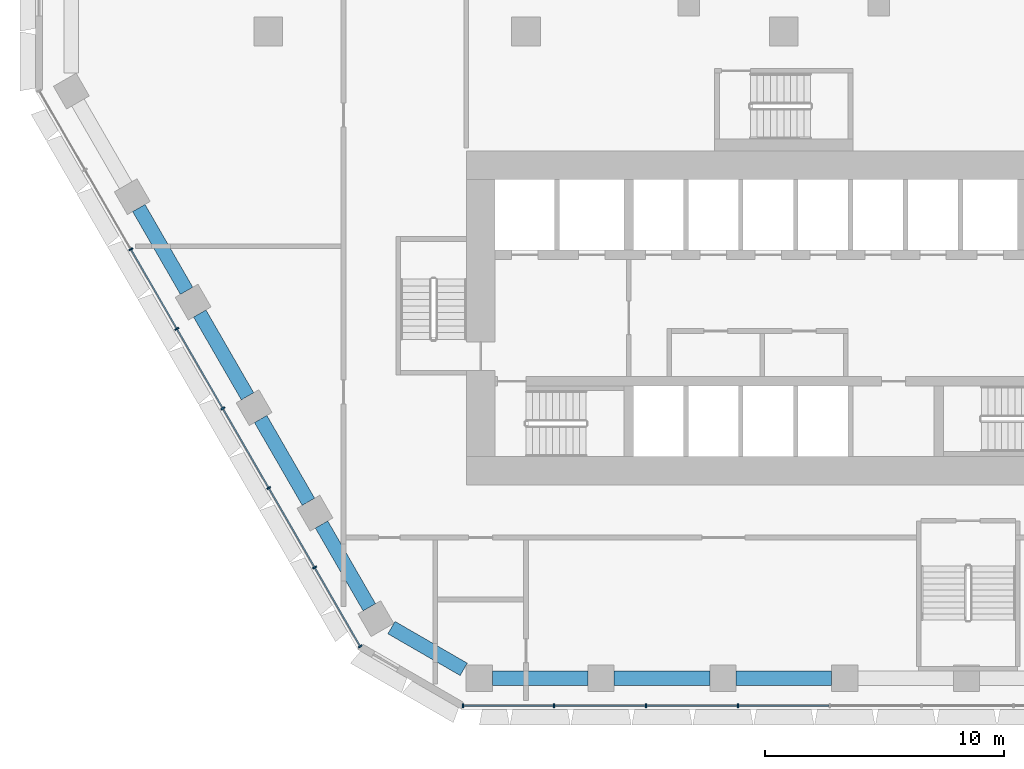
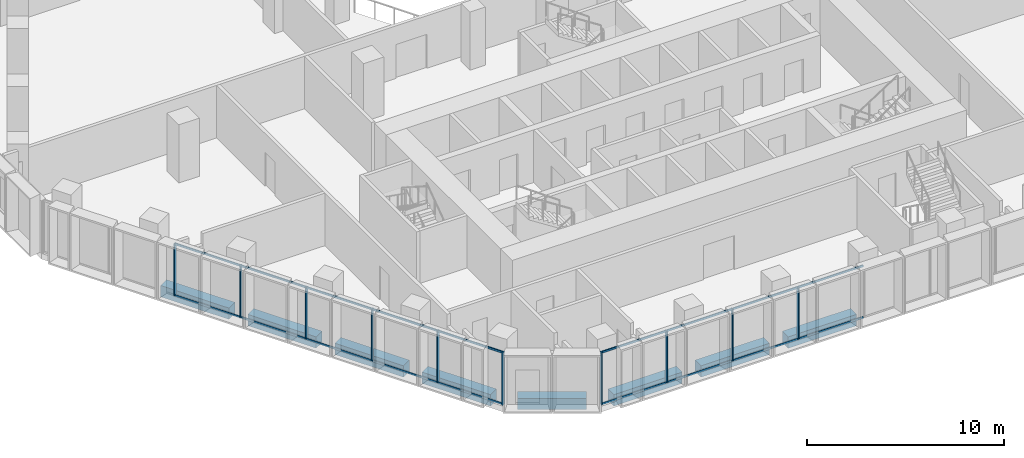
# One storey, part 2 of 22: 28 members, 8 beams, 2 elements without a shape of their own.
"""IFC4 building model written with IfcOpenShell, lengths in metres."""

from ifc_helpers import new_model, si_unit, direction, frame, origin, origin_2d, place, context, subcontext, project, spatial, rectangle, hollow_rectangle, extrude, material, material_profile, profile_set, type_object, element, aggregate, save


model = new_model("IFC4")

# Units and contexts
model_context = context("Model", 3, precision=1e-05, world=origin(), true_north=direction((0.0, 1.0)))
body_context = subcontext(model_context, "Body", "Model", "MODEL_VIEW")
ifc_project = project(units=[si_unit("LENGTHUNIT", "METRE"), si_unit("AREAUNIT", "SQUARE_METRE"), si_unit("VOLUMEUNIT", "CUBIC_METRE"), si_unit("PLANEANGLEUNIT", "RADIAN"), si_unit("MASSUNIT", "GRAM", prefix="KILO")], contexts=[model_context])

# Site, building, storey
site_placement = place(None, origin())
site = spatial("IfcSite", under=ifc_project, at=site_placement, CompositionType="ELEMENT")
building_placement = place(site_placement, origin())
building = spatial("IfcBuilding", under=site, at=building_placement, Name="Beryl Residences", CompositionType="ELEMENT")
storey_placement = place(building_placement, frame((0.0, 0.0, 12.60009765625)))
storey = spatial("IfcBuildingStorey", under=building, at=storey_placement, Name="L03", CompositionType="ELEMENT", Elevation=12.60009765625)

# Curtain wall, members
ifc_material_1 = material(Name="Aluminium and clear glass", Category="aluminium")
curtain_wall_type = type_object("IfcCurtainWallType", Name="CW2 amenity glazing glazed wall", PredefinedType="NOTDEFINED", material=ifc_material_1)
curtain_wall_1_placement = place(storey_placement, origin())
curtain_wall_1 = element("IfcCurtainWall", 1, at=curtain_wall_1_placement, inside=storey, type_object=curtain_wall_type, Name="CW2 L03 SW", PredefinedType="NOTDEFINED")
ifc_material_2 = material(Name="Aluminium", Category="aluminium")
ifc_material_profile_1 = material_profile(ifc_material_2, rectangle(XDim=0.06005859375, YDim=0.179931640625, at=origin_2d()))
ifc_profile_set_1 = profile_set([ifc_material_profile_1], Name="Aluminium")
member_type_1 = type_object("IfcMemberType", Name="CW2-M mullion 60 x 180 mm", PredefinedType="MULLION", material=ifc_profile_set_1)
member_1_placement = place(storey_placement, frame((-27.351318359375, -9.125732421875, 0.0), z_axis=(0.0, 0.0, 1.0), x_axis=(0.500011643322, -0.866018681405, 0.0)))
member_1 = element("IfcMember", 2, at=member_1_placement, type_object=member_type_1, Name="CW2 mullion 3", PredefinedType="MULLION", context=body_context, shape_type="SweptSolid", body=[
    extrude(rectangle(XDim=0.06005859375, YDim=0.179931640625, at=origin_2d()), origin(), (0.0, 0.0, 1.0), 3.25),
])
member_2_placement = place(storey_placement, frame((-25.42724609375, -12.45849609375, 0.0), z_axis=(0.0, 0.0, 1.0), x_axis=(0.500011643322, -0.866018681405, 0.0)))
member_2 = element("IfcMember", 3, at=member_2_placement, type_object=member_type_1, Name="CW2 mullion 4", PredefinedType="MULLION", context=body_context, shape_type="SweptSolid", body=[
    extrude(rectangle(XDim=0.06005859375, YDim=0.179931640625, at=origin_2d()), origin(), (0.0, 0.0, 1.0), 3.25),
])
member_3_placement = place(storey_placement, frame((-23.5029296875, -15.79150390625, 0.0), z_axis=(0.0, 0.0, 1.0), x_axis=(0.500011643322, -0.866018681405, 0.0)))
member_3 = element("IfcMember", 4, at=member_3_placement, type_object=member_type_1, Name="CW2 mullion 5", PredefinedType="MULLION", context=body_context, shape_type="SweptSolid", body=[
    extrude(rectangle(XDim=0.06005859375, YDim=0.179931640625, at=origin_2d()), origin(), (0.0, 0.0, 1.0), 3.25),
])
member_4_placement = place(storey_placement, frame((-21.57861328125, -19.124267578125, 0.0), z_axis=(0.0, 0.0, 1.0), x_axis=(0.500011643322, -0.866018681405, 0.0)))
member_4 = element("IfcMember", 5, at=member_4_placement, type_object=member_type_1, Name="CW2 mullion 6", PredefinedType="MULLION", context=body_context, shape_type="SweptSolid", body=[
    extrude(rectangle(XDim=0.06005859375, YDim=0.179931640625, at=origin_2d()), origin(), (0.0, 0.0, 1.0), 3.25),
])
member_5_placement = place(storey_placement, frame((-19.654296875, -22.45703125, 0.0), z_axis=(0.0, 0.0, 1.0), x_axis=(0.500011643322, -0.866018681405, 0.0)))
member_5 = element("IfcMember", 6, at=member_5_placement, type_object=member_type_1, Name="CW2 mullion 7", PredefinedType="MULLION", context=body_context, shape_type="SweptSolid", body=[
    extrude(rectangle(XDim=0.06005859375, YDim=0.179931640625, at=origin_2d()), origin(), (0.0, 0.0, 1.0), 3.25),
])
member_6_placement = place(storey_placement, frame((-17.7451171875, -25.763916015625, 0.0), z_axis=(0.0, 0.0, 1.0), x_axis=(0.500011643322, -0.866018681405, 0.0)))
member_6 = element("IfcMember", 7, at=member_6_placement, type_object=member_type_1, Name="CW2 mullion 8", PredefinedType="MULLION", context=body_context, shape_type="SweptSolid", body=[
    extrude(rectangle(XDim=0.06005859375, YDim=0.179931640625, at=origin_2d()), origin(), (0.0, 0.0, 1.0), 3.25),
])

curtain_wall_2_placement = place(storey_placement, origin())
curtain_wall_2 = element("IfcCurtainWall", 8, at=curtain_wall_2_placement, inside=storey, type_object=curtain_wall_type, Name="CW2 L03 S", PredefinedType="NOTDEFINED")
member_7_placement = place(storey_placement, frame((-13.43994140625, -28.25, 0.0), z_axis=(0.0, 0.0, 1.0), x_axis=(1.0, 0.0, 0.0)))
member_7 = element("IfcMember", 9, at=member_7_placement, type_object=member_type_1, Name="CW2 mullion 1", PredefinedType="MULLION", context=body_context, shape_type="SweptSolid", body=[
    extrude(rectangle(XDim=0.06005859375, YDim=0.179931640625, at=origin_2d()), origin(), (0.0, 0.0, 1.0), 3.25),
])
member_8_placement = place(storey_placement, frame((-9.621337890625, -28.25, 0.0), z_axis=(0.0, 0.0, 1.0), x_axis=(1.0, 0.0, 0.0)))
member_8 = element("IfcMember", 10, at=member_8_placement, type_object=member_type_1, Name="CW2 mullion 2", PredefinedType="MULLION", context=body_context, shape_type="SweptSolid", body=[
    extrude(rectangle(XDim=0.06005859375, YDim=0.179931640625, at=origin_2d()), origin(), (0.0, 0.0, 1.0), 3.25),
])
member_9_placement = place(storey_placement, frame((-5.77294921875, -28.25, 0.0), z_axis=(0.0, 0.0, 1.0), x_axis=(1.0, 0.0, 0.0)))
member_9 = element("IfcMember", 11, at=member_9_placement, type_object=member_type_1, Name="CW2 mullion 3", PredefinedType="MULLION", context=body_context, shape_type="SweptSolid", body=[
    extrude(rectangle(XDim=0.06005859375, YDim=0.179931640625, at=origin_2d()), origin(), (0.0, 0.0, 1.0), 3.25),
])
member_10_placement = place(storey_placement, frame((-1.92431640625, -28.25, 0.0), z_axis=(0.0, 0.0, 1.0), x_axis=(1.0, 0.0, 0.0)))
member_10 = element("IfcMember", 12, at=member_10_placement, type_object=member_type_1, Name="CW2 mullion 4", PredefinedType="MULLION", context=body_context, shape_type="SweptSolid", body=[
    extrude(rectangle(XDim=0.06005859375, YDim=0.179931640625, at=origin_2d()), origin(), (0.0, 0.0, 1.0), 3.25),
])

# Member
ifc_material_3 = material(Name="Aluminium", Category="aluminium")
ifc_material_profile_2 = material_profile(ifc_material_3, hollow_rectangle(XDim=0.06005859375, YDim=0.1201171875, WallThickness=0.00390625, at=origin_2d()))
ifc_profile_set_2 = profile_set([ifc_material_profile_2], Name="Aluminium")
member_type_2 = type_object("IfcMemberType", Name="CW2-T transom 60 x 120 mm", PredefinedType="USERDEFINED", material=ifc_profile_set_2)
member_11_placement = place(storey_placement, frame((-27.33642578125, -9.151611328125, 0.02978515625), z_axis=(0.499999503755, -0.866025690291, 0.0), x_axis=(0.866025690291, 0.499999503755, 0.0)))
member_11 = element("IfcMember", 13, at=member_11_placement, type_object=member_type_2, Name="CW2 transom 3.1", ObjectType="TRANSOM", PredefinedType="USERDEFINED", context=body_context, shape_type="SweptSolid", body=[
    extrude(hollow_rectangle(XDim=0.06005859375, YDim=0.1201171875, WallThickness=0.00390625, at=origin_2d()), origin(), (0.0, 0.0, 1.0), 3.78857421875),
])

member_12_placement = place(storey_placement, frame((-27.33642578125, -9.151611328125, 3.219970703125), z_axis=(0.499999503755, -0.866025690291, 0.0), x_axis=(0.866025690291, 0.499999503755, 0.0)))
member_12 = element("IfcMember", 14, at=member_12_placement, type_object=member_type_2, Name="CW2 transom 3.2", ObjectType="TRANSOM", PredefinedType="USERDEFINED", context=body_context, shape_type="SweptSolid", body=[
    extrude(hollow_rectangle(XDim=0.06005859375, YDim=0.1201171875, WallThickness=0.00390625, at=origin_2d()), origin(), (0.0, 0.0, 1.0), 3.78857421875),
])

member_13_placement = place(storey_placement, frame((-25.412109375, -12.484619140625, 0.02978515625), z_axis=(0.500027408906, -0.866009578667, 0.0), x_axis=(0.866009578667, 0.500027408906, 0.0)))
member_13 = element("IfcMember", 15, at=member_13_placement, type_object=member_type_2, Name="CW2 transom 4.1", ObjectType="TRANSOM", PredefinedType="USERDEFINED", context=body_context, shape_type="SweptSolid", body=[
    extrude(hollow_rectangle(XDim=0.06005859375, YDim=0.1201171875, WallThickness=0.00390625, at=origin_2d()), origin(), (0.0, 0.0, 1.0), 3.788330078125),
])

member_14_placement = place(storey_placement, frame((-25.412109375, -12.484619140625, 3.219970703125), z_axis=(0.500027408906, -0.866009578667, 0.0), x_axis=(0.866009578667, 0.500027408906, 0.0)))
member_14 = element("IfcMember", 16, at=member_14_placement, type_object=member_type_2, Name="CW2 transom 4.2", ObjectType="TRANSOM", PredefinedType="USERDEFINED", context=body_context, shape_type="SweptSolid", body=[
    extrude(hollow_rectangle(XDim=0.06005859375, YDim=0.1201171875, WallThickness=0.00390625, at=origin_2d()), origin(), (0.0, 0.0, 1.0), 3.788330078125),
])

member_15_placement = place(storey_placement, frame((-23.48779296875, -15.8173828125, 0.02978515625), z_axis=(0.499999503755, -0.866025690291, 0.0), x_axis=(0.866025690291, 0.499999503755, 0.0)))
member_15 = element("IfcMember", 17, at=member_15_placement, type_object=member_type_2, Name="CW2 transom 5.1", ObjectType="TRANSOM", PredefinedType="USERDEFINED", context=body_context, shape_type="SweptSolid", body=[
    extrude(hollow_rectangle(XDim=0.06005859375, YDim=0.1201171875, WallThickness=0.00390625, at=origin_2d()), origin(), (0.0, 0.0, 1.0), 3.78857421875),
])

member_16_placement = place(storey_placement, frame((-23.48779296875, -15.8173828125, 3.219970703125), z_axis=(0.499999503755, -0.866025690291, 0.0), x_axis=(0.866025690291, 0.499999503755, 0.0)))
member_16 = element("IfcMember", 18, at=member_16_placement, type_object=member_type_2, Name="CW2 transom 5.2", ObjectType="TRANSOM", PredefinedType="USERDEFINED", context=body_context, shape_type="SweptSolid", body=[
    extrude(hollow_rectangle(XDim=0.06005859375, YDim=0.1201171875, WallThickness=0.00390625, at=origin_2d()), origin(), (0.0, 0.0, 1.0), 3.78857421875),
])

member_17_placement = place(storey_placement, frame((-21.5634765625, -19.150146484375, 0.02978515625), z_axis=(0.499999503755, -0.866025690291, 0.0), x_axis=(0.866025690291, 0.499999503755, 0.0)))
member_17 = element("IfcMember", 19, at=member_17_placement, type_object=member_type_2, Name="CW2 transom 6.1", ObjectType="TRANSOM", PredefinedType="USERDEFINED", context=body_context, shape_type="SweptSolid", body=[
    extrude(hollow_rectangle(XDim=0.06005859375, YDim=0.1201171875, WallThickness=0.00390625, at=origin_2d()), origin(), (0.0, 0.0, 1.0), 3.78857421875),
])

member_18_placement = place(storey_placement, frame((-21.5634765625, -19.150146484375, 3.219970703125), z_axis=(0.499999503755, -0.866025690291, 0.0), x_axis=(0.866025690291, 0.499999503755, 0.0)))
member_18 = element("IfcMember", 20, at=member_18_placement, type_object=member_type_2, Name="CW2 transom 6.2", ObjectType="TRANSOM", PredefinedType="USERDEFINED", context=body_context, shape_type="SweptSolid", body=[
    extrude(hollow_rectangle(XDim=0.06005859375, YDim=0.1201171875, WallThickness=0.00390625, at=origin_2d()), origin(), (0.0, 0.0, 1.0), 3.78857421875),
])

member_19_placement = place(storey_placement, frame((-19.639404296875, -22.483154296875, 0.02978515625), z_axis=(0.500037327496, -0.866003851672, 0.0), x_axis=(0.866003851672, 0.500037327496, 0.0)))
member_19 = element("IfcMember", 21, at=member_19_placement, type_object=member_type_2, Name="CW2 transom 7.1", ObjectType="TRANSOM", PredefinedType="USERDEFINED", context=body_context, shape_type="SweptSolid", body=[
    extrude(hollow_rectangle(XDim=0.06005859375, YDim=0.1201171875, WallThickness=0.00390625, at=origin_2d()), origin(), (0.0, 0.0, 1.0), 3.758544921875),
])

member_20_placement = place(storey_placement, frame((-19.639404296875, -22.483154296875, 3.219970703125), z_axis=(0.500037327496, -0.866003851672, 0.0), x_axis=(0.866003851672, 0.500037327496, 0.0)))
member_20 = element("IfcMember", 22, at=member_20_placement, type_object=member_type_2, Name="CW2 transom 7.2", ObjectType="TRANSOM", PredefinedType="USERDEFINED", context=body_context, shape_type="SweptSolid", body=[
    extrude(hollow_rectangle(XDim=0.06005859375, YDim=0.1201171875, WallThickness=0.00390625, at=origin_2d()), origin(), (0.0, 0.0, 1.0), 3.758544921875),
])

aggregate(curtain_wall_1, [member_1, member_2, member_3, member_4, member_5, member_6, member_11, member_12, member_13, member_14, member_15, member_16, member_17, member_18, member_19, member_20])

member_21_placement = place(storey_placement, frame((-13.409912109375, -28.25, 0.02978515625), z_axis=(1.0, 0.0, 0.0), x_axis=(0.0, 1.0, 0.0)))
member_21 = element("IfcMember", 23, at=member_21_placement, type_object=member_type_2, Name="CW2 transom 1.1", ObjectType="TRANSOM", PredefinedType="USERDEFINED", context=body_context, shape_type="SweptSolid", body=[
    extrude(hollow_rectangle(XDim=0.06005859375, YDim=0.1201171875, WallThickness=0.00390625, at=origin_2d()), origin(), (0.0, 0.0, 1.0), 3.758544921875),
])

member_22_placement = place(storey_placement, frame((-13.409912109375, -28.25, 3.219970703125), z_axis=(1.0, 0.0, 0.0), x_axis=(0.0, 1.0, 0.0)))
member_22 = element("IfcMember", 24, at=member_22_placement, type_object=member_type_2, Name="CW2 transom 1.2", ObjectType="TRANSOM", PredefinedType="USERDEFINED", context=body_context, shape_type="SweptSolid", body=[
    extrude(hollow_rectangle(XDim=0.06005859375, YDim=0.1201171875, WallThickness=0.00390625, at=origin_2d()), origin(), (0.0, 0.0, 1.0), 3.758544921875),
])

member_23_placement = place(storey_placement, frame((-9.59130859375, -28.25, 0.02978515625), z_axis=(1.0, 0.0, 0.0), x_axis=(0.0, 1.0, 0.0)))
member_23 = element("IfcMember", 25, at=member_23_placement, type_object=member_type_2, Name="CW2 transom 2.1", ObjectType="TRANSOM", PredefinedType="USERDEFINED", context=body_context, shape_type="SweptSolid", body=[
    extrude(hollow_rectangle(XDim=0.06005859375, YDim=0.1201171875, WallThickness=0.00390625, at=origin_2d()), origin(), (0.0, 0.0, 1.0), 3.788330078125),
])

member_24_placement = place(storey_placement, frame((-9.59130859375, -28.25, 3.219970703125), z_axis=(1.0, 0.0, 0.0), x_axis=(0.0, 1.0, 0.0)))
member_24 = element("IfcMember", 26, at=member_24_placement, type_object=member_type_2, Name="CW2 transom 2.2", ObjectType="TRANSOM", PredefinedType="USERDEFINED", context=body_context, shape_type="SweptSolid", body=[
    extrude(hollow_rectangle(XDim=0.06005859375, YDim=0.1201171875, WallThickness=0.00390625, at=origin_2d()), origin(), (0.0, 0.0, 1.0), 3.788330078125),
])

member_25_placement = place(storey_placement, frame((-5.742919921875, -28.25, 0.02978515625), z_axis=(1.0, 0.0, 0.0), x_axis=(0.0, 1.0, 0.0)))
member_25 = element("IfcMember", 27, at=member_25_placement, type_object=member_type_2, Name="CW2 transom 3.1", ObjectType="TRANSOM", PredefinedType="USERDEFINED", context=body_context, shape_type="SweptSolid", body=[
    extrude(hollow_rectangle(XDim=0.06005859375, YDim=0.1201171875, WallThickness=0.00390625, at=origin_2d()), origin(), (0.0, 0.0, 1.0), 3.78857421875),
])

member_26_placement = place(storey_placement, frame((-5.742919921875, -28.25, 3.219970703125), z_axis=(1.0, 0.0, 0.0), x_axis=(0.0, 1.0, 0.0)))
member_26 = element("IfcMember", 28, at=member_26_placement, type_object=member_type_2, Name="CW2 transom 3.2", ObjectType="TRANSOM", PredefinedType="USERDEFINED", context=body_context, shape_type="SweptSolid", body=[
    extrude(hollow_rectangle(XDim=0.06005859375, YDim=0.1201171875, WallThickness=0.00390625, at=origin_2d()), origin(), (0.0, 0.0, 1.0), 3.78857421875),
])

member_27_placement = place(storey_placement, frame((-1.894287109375, -28.25, 0.02978515625), z_axis=(1.0, 0.0, 0.0), x_axis=(0.0, 1.0, 0.0)))
member_27 = element("IfcMember", 29, at=member_27_placement, type_object=member_type_2, Name="CW2 transom 4.1", ObjectType="TRANSOM", PredefinedType="USERDEFINED", context=body_context, shape_type="SweptSolid", body=[
    extrude(hollow_rectangle(XDim=0.06005859375, YDim=0.1201171875, WallThickness=0.00390625, at=origin_2d()), origin(), (0.0, 0.0, 1.0), 3.78857421875),
])

member_28_placement = place(storey_placement, frame((-1.894287109375, -28.25, 3.219970703125), z_axis=(1.0, 0.0, 0.0), x_axis=(0.0, 1.0, 0.0)))
member_28 = element("IfcMember", 30, at=member_28_placement, type_object=member_type_2, Name="CW2 transom 4.2", ObjectType="TRANSOM", PredefinedType="USERDEFINED", context=body_context, shape_type="SweptSolid", body=[
    extrude(hollow_rectangle(XDim=0.06005859375, YDim=0.1201171875, WallThickness=0.00390625, at=origin_2d()), origin(), (0.0, 0.0, 1.0), 3.78857421875),
])

aggregate(curtain_wall_2, [member_7, member_8, member_9, member_10, member_21, member_22, member_23, member_24, member_25, member_26, member_27, member_28])

# Beams
ifc_material_4 = material(Name="Concrete C80/95", Category="concrete")
ifc_material_profile_3 = material_profile(ifc_material_4, rectangle(XDim=0.60009765625, YDim=0.699951171875, at=origin_2d()))
ifc_profile_set_3 = profile_set([ifc_material_profile_3], Name="Concrete C80/95")
beam_type = type_object("IfcBeamType", Name="SB1 spandrel beam 600 x 700 C80/95", PredefinedType="SPANDREL", material=ifc_profile_set_3)
for number, where, z_axis, x_axis, name in (
    (31, (-27.02197265625, -7.39697265625, -0.7001953125), (0.499942357345, -0.866058681229, 0.0), (0.866058681229, 0.499942357345, 0.0), "SB1 L03 SW-1"),
    (32, (-24.469970703125, -11.81689453125, -0.7001953125), (0.499942357345, -0.866058681229, 0.0), (0.866058681229, 0.499942357345, 0.0), "SB1 L03 SW-2"),
    (33, (-21.91796875, -16.237060546875, -0.7001953125), (0.499942357345, -0.866058681229, 0.0), (0.866058681229, 0.499942357345, 0.0), "SB1 L03 SW-3"),
    (34, (-19.365966796875, -20.656982421875, -0.7001953125), (0.499942357345, -0.866058681229, 0.0), (0.866058681229, 0.499942357345, 0.0), "SB1 L03 SW-4"),
):
    element("IfcBeam", number, at=place(storey_placement, frame(where, z_axis=z_axis, x_axis=x_axis)), inside=storey, type_object=beam_type, Name=name, PredefinedType="SPANDREL", context=body_context, shape_type="SweptSolid", body=[
        extrude(rectangle(XDim=0.60009765625, YDim=0.699951171875, at=origin_2d()), origin(), (0.0, 0.0, 1.0), 4.00439453125),
    ])
beam_placement = place(storey_placement, frame((-16.43896484375, -24.97607421875, -0.7001953125), z_axis=(0.866070549782, -0.499921796684, 0.0), x_axis=(0.499921796684, 0.866070549782, 0.0)))
element("IfcBeam", 35, at=beam_placement, inside=storey, type_object=beam_type, Name="SB1 L03 SW-5", PredefinedType="SPANDREL", context=body_context, shape_type="SweptSolid", body=[
    extrude(rectangle(XDim=0.60009765625, YDim=0.699951171875, at=origin_2d()), origin(), (0.0, 0.0, 1.0), 3.49853515625),
])
for number, where, z_axis, x_axis, name in (
    (36, (-12.208984375, -27.10009765625, -0.7001953125), (1.0, 0.0, 0.0), (0.0, 1.0, 0.0), "SB1 L03 S-0"),
    (37, (-7.10498046875, -27.10009765625, -0.7001953125), (1.0, 0.0, 0.0), (0.0, 1.0, 0.0), "SB1 L03 S-1"),
    (38, (-2.0009765625, -27.10009765625, -0.7001953125), (1.0, 0.0, 0.0), (0.0, 1.0, 0.0), "SB1 L03 S-2"),
):
    element("IfcBeam", number, at=place(storey_placement, frame(where, z_axis=z_axis, x_axis=x_axis)), inside=storey, type_object=beam_type, Name=name, PredefinedType="SPANDREL", context=body_context, shape_type="SweptSolid", body=[
        extrude(rectangle(XDim=0.60009765625, YDim=0.699951171875, at=origin_2d()), origin(), (0.0, 0.0, 1.0), 4.00390625),
    ])

save(model, "model.ifc")
